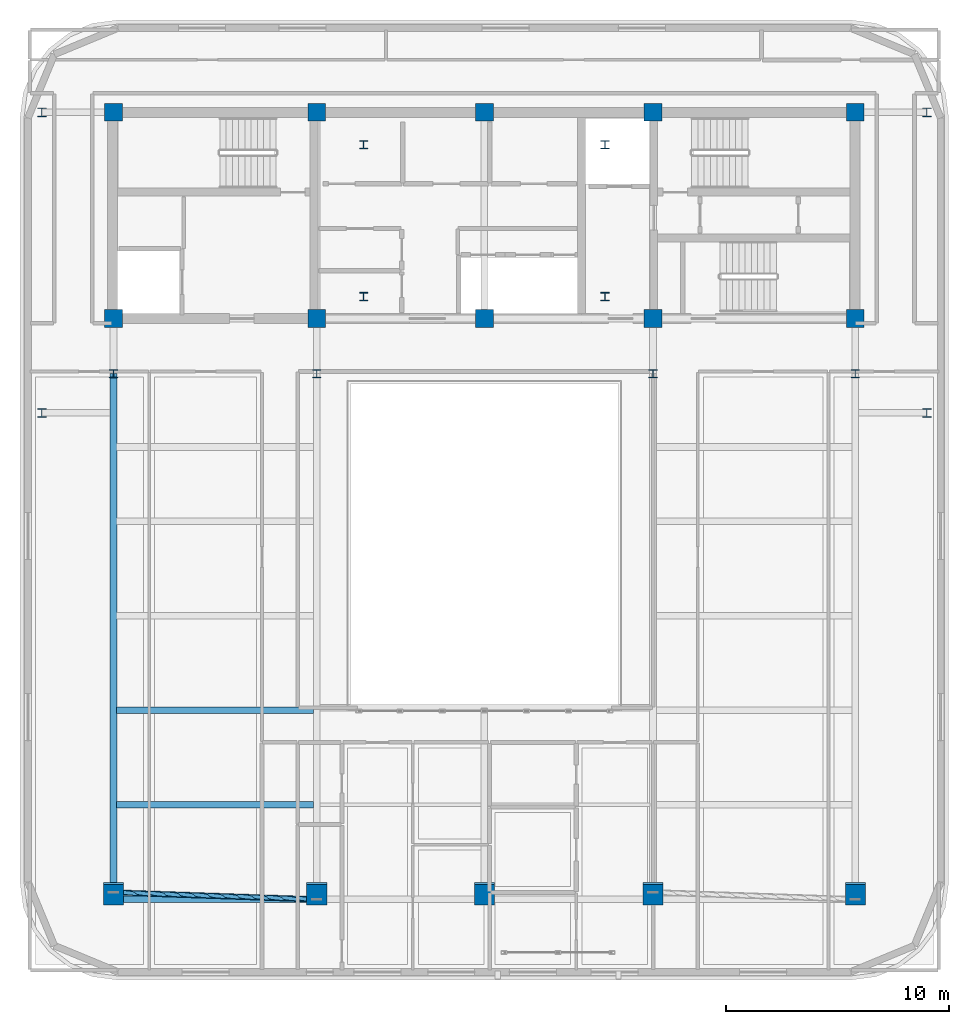
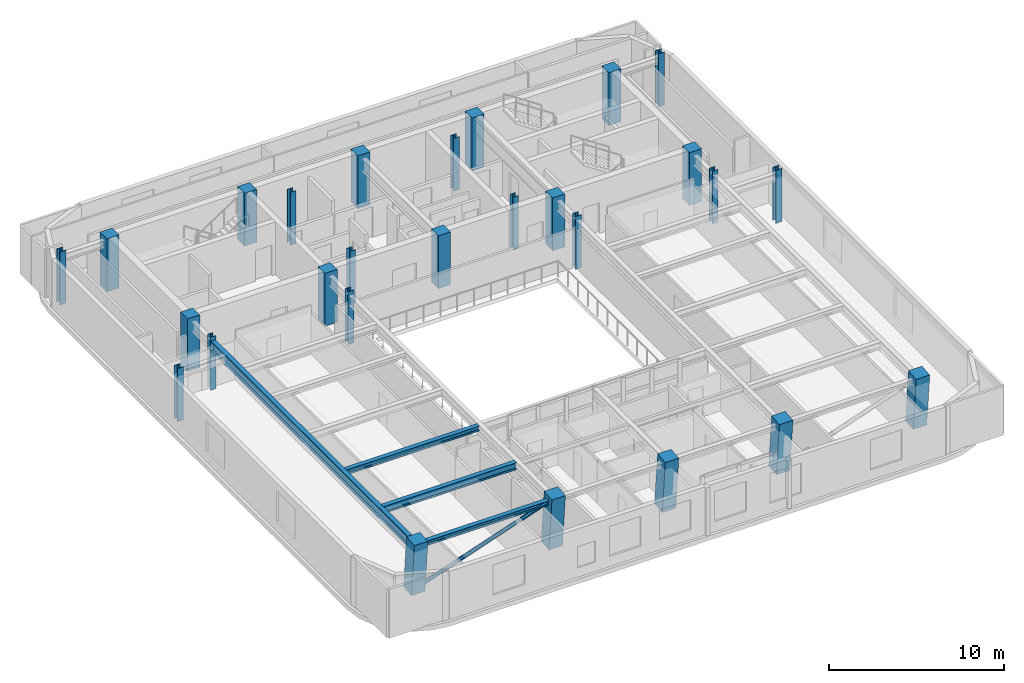
# One storey, part 1 of 12: 27 columns, 4 beams, 1 member.
"""IFC4 building model written with IfcOpenShell, lengths in metres."""

import ifcopenshell
import ifcopenshell.guid

model = None  # the IFC model being written
_history = None  # IfcOwnerHistory: only IFC2X3 demands one
_inside = {}  # id of a spatial element -> (the spatial element, [elements in it])
_under = {}  # id of a project, library or spatial element -> (it, [spatial elements below it])
_declared = {}  # id of a project -> (the project, [libraries it declares])
_typed = {}  # id of a type object -> (the type object, [elements of that type])
_made_of = {}  # id of a material, layer set ... -> (it, [elements and type objects made of it])


def new_model(schema):
    """Start an empty IFC model of exactly this schema.

    Asked for "IFC4X3", IfcOpenShell would pick the latest addendum, in which some entities
    have other attributes; the version numbers below select the first issue.
    IFC2X3 requires an IfcOwnerHistory on every rooted entity: one is made here for all.
    """
    global model, _history
    if schema == "IFC4X3":
        model = ifcopenshell.file(schema_version=(4, 3, 0, 0))
    else:
        model = ifcopenshell.file(schema=schema)
    _inside.clear()
    _under.clear()
    _declared.clear()
    _typed.clear()
    _made_of.clear()
    _history = None
    if model.schema == "IFC2X3":
        org = make("IfcOrganization", Name="unknown")
        user = make(
            "IfcPersonAndOrganization",
            ThePerson=make("IfcPerson", FamilyName="unknown"),
            TheOrganization=org,
        )
        app = make(
            "IfcApplication",
            ApplicationDeveloper=org,
            Version="unknown",
            ApplicationFullName="unknown",
            ApplicationIdentifier="unknown",
        )
        _history = make(
            "IfcOwnerHistory",
            OwningUser=user,
            OwningApplication=app,
            ChangeAction="ADDED",
            CreationDate=0,
        )
    return model


def make(cls, **values):
    """One entity of the class cls with the attributes given. An attribute that is None is left unset."""
    return model.create_entity(
        cls, **{name: value for name, value in values.items() if value is not None}
    )


def rooted(cls, **values):
    """An entity with a GlobalId (a new one), such as an element, a storey or a relation."""
    return make(cls, GlobalId=ifcopenshell.guid.new(), OwnerHistory=_history, **values)


def si_unit(unit_type, name, prefix=None):
    """IfcSIUnit, for example si_unit("LENGTHUNIT", "METRE", prefix="MILLI")."""
    return make("IfcSIUnit", UnitType=unit_type, Prefix=prefix, Name=name)


def assignment(units):
    """IfcUnitAssignment: the units of a project."""
    return None if units is None else make("IfcUnitAssignment", Units=units)


def point(xyz):
    """IfcCartesianPoint."""
    return None if xyz is None else make("IfcCartesianPoint", Coordinates=xyz)


def direction(xyz):
    """IfcDirection."""
    return None if xyz is None else make("IfcDirection", DirectionRatios=xyz)


def frame(location, z_axis=None, x_axis=None):
    """IfcAxis2Placement3D, a coordinate frame: its origin and axes. An axis left out is left unset."""
    return make(
        "IfcAxis2Placement3D",
        Location=point(location),
        Axis=direction(z_axis),
        RefDirection=direction(x_axis),
    )


def frame_2d(location, x_axis=None):
    """IfcAxis2Placement2D, a coordinate frame in the plane: its origin and x axis."""
    return make(
        "IfcAxis2Placement2D", Location=point(location), RefDirection=direction(x_axis)
    )


def origin():
    """The frame at (0, 0, 0) with its axes left unset."""
    return frame((0.0, 0.0, 0.0))


def origin_2d():
    """The frame at (0, 0) in the plane with its x axis left unset."""
    return frame_2d((0.0, 0.0))


def place(relative_to, where):
    """IfcLocalPlacement: puts the frame where relative to a parent placement (None: the world)."""
    return make(
        "IfcLocalPlacement", PlacementRelTo=relative_to, RelativePlacement=where
    )


def context(
    kind, dimensions, precision=None, world=None, true_north=None, identifier=None
):
    """IfcGeometricRepresentationContext, for example the 3D "Model" context."""
    return make(
        "IfcGeometricRepresentationContext",
        ContextIdentifier=identifier,
        ContextType=kind,
        CoordinateSpaceDimension=dimensions,
        Precision=precision,
        WorldCoordinateSystem=world,
        TrueNorth=true_north,
    )


def subcontext(parent, identifier, kind, view, scale=None):
    """IfcGeometricRepresentationSubContext, for example "Body" below "Model"."""
    return make(
        "IfcGeometricRepresentationSubContext",
        ContextIdentifier=identifier,
        ContextType=kind,
        ParentContext=parent,
        TargetScale=scale,
        TargetView=view,
    )


def project(units=None, contexts=None):
    """IfcProject with its units and contexts."""
    return rooted(
        "IfcProject",
        Name="project",
        RepresentationContexts=contexts,
        UnitsInContext=assignment(units),
    )


def spatial(cls, under=None, at=None, **own):
    """A site, building, storey or space (cls), placed at a placement, below another one or the project."""
    s = rooted(cls, ObjectPlacement=at, **own)
    if under is not None:
        _under.setdefault(under.id(), (under, []))[1].append(s)
    return s


def profile(cls, at=None, kind="AREA", **sizes):
    """A parametric profile (cls). Its sizes go by their IFC names, for example OverallWidth=200.0."""
    return make(cls, ProfileType=kind, Position=at, **sizes)


def rectangle(**sizes):
    """IfcRectangleProfileDef."""
    return profile("IfcRectangleProfileDef", **sizes)


def hollow_circle(**sizes):
    """IfcCircleHollowProfileDef."""
    return profile("IfcCircleHollowProfileDef", **sizes)


def i_section(**sizes):
    """IfcIShapeProfileDef."""
    return profile("IfcIShapeProfileDef", **sizes)


def extrude(swept, where, along, depth):
    """IfcExtrudedAreaSolid: the profile swept, set in the frame where, extruded along a direction by depth."""
    return make(
        "IfcExtrudedAreaSolid",
        SweptArea=swept,
        Position=where,
        ExtrudedDirection=direction(along),
        Depth=depth,
    )


def shape(context_of_items, identifier, shape_type, items):
    """IfcShapeRepresentation: the items that make up one representation, for example the "Body"."""
    return make(
        "IfcShapeRepresentation",
        ContextOfItems=context_of_items,
        RepresentationIdentifier=identifier,
        RepresentationType=shape_type,
        Items=items,
    )


def material(Name=None, Category=None):
    """IfcMaterial."""
    return make("IfcMaterial", Name=Name, Category=Category)


def material_profile(
    of_material, cross_section, Name=None, Category=None, Priority=None
):
    """IfcMaterialProfile: a cross section and its material."""
    return make(
        "IfcMaterialProfile",
        Name=Name,
        Material=of_material,
        Profile=cross_section,
        Priority=Priority,
        Category=Category,
    )


def profile_set(profiles, Name=None, composite=None):
    """IfcMaterialProfileSet."""
    return make(
        "IfcMaterialProfileSet",
        Name=Name,
        MaterialProfiles=profiles,
        CompositeProfile=composite,
    )


def made_of(thing, what):
    """Note that an element or type object is made of a material, layer set ...; save() writes the relation."""
    if what is not None:
        _made_of.setdefault(what.id(), (what, []))[1].append(thing)
    return thing


def type_object(cls, material=None, **own):
    """A type object (cls), such as IfcWallType, which elements share."""
    return made_of(rooted(cls, **own), material)


def element(
    cls,
    number,
    at=None,
    inside=None,
    cuts=None,
    type_object=None,
    material=None,
    context=None,
    identifier="Body",
    shape_type=None,
    held_by="IfcProductDefinitionShape",
    body=None,
    shapes=None,
    **own,
):
    """One element of the class cls, such as IfcWall. Its Tag is "e" and its number.

    at: its placement. inside: the storey or other place that contains it. cuts: it is an
    opening in that element (IfcRelVoidsElement). A single representation is given by context,
    identifier, shape_type and body (its items); several are given by shapes. held_by: the class
    of the entity that holds the representations. save() writes the other relations.
    """
    e = rooted(cls, Tag="e%d" % number, ObjectPlacement=at, **own)
    if body is not None:
        shapes = [shape(context, identifier, shape_type, body)]
    if shapes is not None:
        e.Representation = make(held_by, Representations=shapes)
    if inside is not None:
        _inside.setdefault(inside.id(), (inside, []))[1].append(e)
    if cuts is not None:
        rooted(
            "IfcRelVoidsElement", RelatingBuildingElement=cuts, RelatedOpeningElement=e
        )
    if type_object is not None:
        _typed.setdefault(type_object.id(), (type_object, []))[1].append(e)
    return made_of(e, material)


def aggregate(whole, parts):
    """IfcRelAggregates: a whole, such as a stair, and the parts it consists of."""
    return rooted("IfcRelAggregates", RelatingObject=whole, RelatedObjects=parts)


def save(model, path):
    """Write the relations noted so far, then the file.

    IfcRelAggregates (storeys below a building ...), IfcRelContainedInSpatialStructure (elements
    in a storey), IfcRelDefinesByType, IfcRelAssociatesMaterial and IfcRelDeclares: one each for
    every whole, place, type object, material and project.
    """
    for whole, parts in _under.values():
        aggregate(whole, parts)
    for where, things in _inside.values():
        rooted(
            "IfcRelContainedInSpatialStructure",
            RelatedElements=things,
            RelatingStructure=where,
        )
    for kind, things in _typed.values():
        rooted("IfcRelDefinesByType", RelatedObjects=things, RelatingType=kind)
    for what, things in _made_of.values():
        rooted("IfcRelAssociatesMaterial", RelatedObjects=things, RelatingMaterial=what)
    for by, libraries in _declared.values():
        rooted("IfcRelDeclares", RelatingContext=by, RelatedDefinitions=libraries)
    model.write(path)


model = new_model("IFC4")

# Units and contexts
model_context = context("Model", 3, precision=1e-05, world=origin(), true_north=direction((0.0, 1.0)))
body_context = subcontext(model_context, "Body", "Model", "MODEL_VIEW")
ifc_project = project(units=[si_unit("LENGTHUNIT", "METRE"), si_unit("AREAUNIT", "SQUARE_METRE"), si_unit("VOLUMEUNIT", "CUBIC_METRE"), si_unit("PLANEANGLEUNIT", "RADIAN"), si_unit("MASSUNIT", "GRAM", prefix="KILO")], contexts=[model_context])

# Site, building, storey
site_placement = place(None, origin())
site = spatial("IfcSite", under=ifc_project, at=site_placement, CompositionType="ELEMENT")
building_placement = place(site_placement, origin())
building = spatial("IfcBuilding", under=site, at=building_placement, Name="Zarnavel Station Tower", CompositionType="ELEMENT")
storey_placement = place(building_placement, frame((0.0, 0.0, 265.800048828125)))
storey = spatial("IfcBuildingStorey", under=building, at=storey_placement, Name="L72", CompositionType="ELEMENT", Elevation=265.800048828125)

# Columns
ifc_material_1 = material(Name="Steel S355J2", Category="steel")
ifc_material_profile_1 = material_profile(ifc_material_1, i_section(OverallWidth=0.407958984375, OverallDepth=0.39990234375, WebThickness=0.02490234375, FlangeThickness=0.0390625, FilletRadius=0.014892578125, at=origin_2d()), Name="HD400x287")
ifc_profile_set_1 = profile_set([ifc_material_profile_1], Name="Steel S355J2")
column_type_1 = type_object("IfcColumnType", Name="EC_HD287", PredefinedType="COLUMN", material=ifc_profile_set_1)
for number, where, z_axis, x_axis, name in (
    (1, (9.0, 23.60009765625, 0.0), (0.0, 0.0, 1.0), (1.0, 0.0, 0.0), "L72 Inner Wing Spine Column 1-1"),
    (2, (9.0, 37.050048828125, 0.0), (0.0, 0.0, 1.0), (1.0, 0.0, 0.0), "L72 Inner Wing Spine Column 1-2"),
    (3, (48.60009765625, 23.60009765625, 0.0), (0.0, 0.0, 1.0), (1.0, 0.0, 0.0), "L72 Inner Wing Spine Column 2-1"),
    (4, (48.60009765625, 37.050048828125, 0.0), (0.0, 0.0, 1.0), (1.0, 0.0, 0.0), "L72 Inner Wing Spine Column 2-2"),
):
    element("IfcColumn", number, at=place(storey_placement, frame(where, z_axis=z_axis, x_axis=x_axis)), inside=storey, type_object=column_type_1, Name=name, PredefinedType="COLUMN", context=body_context, shape_type="SweptSolid", body=[
        extrude(i_section(OverallWidth=0.407958984375, OverallDepth=0.39990234375, WebThickness=0.02490234375, FlangeThickness=0.0390625, FilletRadius=0.014892578125, at=origin_2d()), origin(), (0.0, 0.0, 1.0), 3.699951171875),
    ])
ifc_material_2 = material(Name="Steel S355J2", Category="steel")
ifc_material_profile_2 = material_profile(ifc_material_2, i_section(OverallWidth=0.3740234375, OverallDepth=0.3720703125, WebThickness=0.0166015625, FlangeThickness=0.027099609375, FilletRadius=0.014892578125, at=origin_2d()), Name="HD360x196")
ifc_profile_set_2 = profile_set([ifc_material_profile_2], Name="Steel S355J2")
column_type_2 = type_object("IfcColumnType", Name="IC_HD196", PredefinedType="COLUMN", material=ifc_profile_set_2)
for number, where, z_axis, x_axis, name in (
    (5, (23.39990234375, 28.800048828125, 0.0), (0.0, 0.0, 1.0), (1.0, 0.0, 0.0), "L72 Mast Spine Column 1"),
    (6, (34.199951171875, 28.800048828125, 0.0), (0.0, 0.0, 1.0), (1.0, 0.0, 0.0), "L72 Mast Spine Column 2"),
    (7, (34.199951171875, 35.60009765625, 0.0), (0.0, 0.0, 1.0), (1.0, 0.0, 0.0), "L72 Mast Spine Column 3"),
    (8, (23.39990234375, 35.60009765625, 0.0), (0.0, 0.0, 1.0), (1.0, 0.0, 0.0), "L72 Mast Spine Column 4"),
    (9, (12.199951171875, 25.35009765625, 0.0), (0.0, 0.0, 1.0), (1.0, 0.0, 0.0), "L72 Inner Spine Column 1"),
    (10, (21.300048828125, 25.35009765625, 0.0), (0.0, 0.0, 1.0), (1.0, 0.0, 0.0), "L72 Inner Spine Column 2"),
    (11, (36.35009765625, 25.35009765625, 0.0), (0.0, 0.0, 1.0), (1.0, 0.0, 0.0), "L72 Inner Spine Column 4"),
    (12, (45.39990234375, 25.35009765625, 0.0), (0.0, 0.0, 1.0), (1.0, 0.0, 0.0), "L72 Inner Spine Column 5"),
):
    element("IfcColumn", number, at=place(storey_placement, frame(where, z_axis=z_axis, x_axis=x_axis)), inside=storey, type_object=column_type_2, Name=name, PredefinedType="COLUMN", context=body_context, shape_type="SweptSolid", body=[
        extrude(i_section(OverallWidth=0.3740234375, OverallDepth=0.3720703125, WebThickness=0.0166015625, FlangeThickness=0.027099609375, FilletRadius=0.014892578125, at=origin_2d()), origin(), (0.0, 0.0, 1.0), 3.699951171875),
    ])
ifc_material_3 = material(Name="Concrete C45/55", Category="concrete")
ifc_material_profile_3 = material_profile(ifc_material_3, rectangle(XDim=0.800048828125, YDim=0.800048828125, at=origin_2d()), Name="RC800x800")
ifc_profile_set_3 = profile_set([ifc_material_profile_3], Name="Concrete C45/55")
column_type_3 = type_object("IfcColumnType", Name="IC_RC800", PredefinedType="COLUMN", material=ifc_profile_set_3)
for number, where, z_axis, x_axis, name in (
    (13, (12.199951171875, 27.820068359375, 0.0), (0.0, 0.0, 1.0), (1.0, 0.0, 0.0), "L72 Core Spine Column 1-1"),
    (14, (12.199951171875, 37.050048828125, 0.0), (0.0, 0.0, 1.0), (1.0, 0.0, 0.0), "L72 Core Spine Column 1-2"),
    (15, (21.300048828125, 27.820068359375, 0.0), (0.0, 0.0, 1.0), (1.0, 0.0, 0.0), "L72 Core Spine Column 2-1"),
    (16, (21.300048828125, 37.050048828125, 0.0), (0.0, 0.0, 1.0), (1.0, 0.0, 0.0), "L72 Core Spine Column 2-2"),
    (17, (28.800048828125, 27.820068359375, 0.0), (0.0, 0.0, 1.0), (1.0, 0.0, 0.0), "L72 Core Spine Column 3-1"),
    (18, (28.800048828125, 37.050048828125, 0.0), (0.0, 0.0, 1.0), (1.0, 0.0, 0.0), "L72 Core Spine Column 3-2"),
    (19, (36.35009765625, 27.820068359375, 0.0), (0.0, 0.0, 1.0), (1.0, 0.0, 0.0), "L72 Core Spine Column 4-1"),
    (20, (36.35009765625, 37.050048828125, 0.0), (0.0, 0.0, 1.0), (1.0, 0.0, 0.0), "L72 Core Spine Column 4-2"),
    (21, (45.39990234375, 27.820068359375, 0.0), (0.0, 0.0, 1.0), (1.0, 0.0, 0.0), "L72 Core Spine Column 5-1"),
    (22, (45.39990234375, 37.050048828125, 0.0), (0.0, 0.0, 1.0), (1.0, 0.0, 0.0), "L72 Core Spine Column 5-2"),
):
    element("IfcColumn", number, at=place(storey_placement, frame(where, z_axis=z_axis, x_axis=x_axis)), inside=storey, type_object=column_type_3, Name=name, PredefinedType="COLUMN", context=body_context, shape_type="SweptSolid", body=[
        extrude(rectangle(XDim=0.800048828125, YDim=0.800048828125, at=origin_2d()), origin(), (0.0, 0.0, 1.0), 3.699951171875),
    ])
ifc_material_4 = material(Name="Concrete C50/60", Category="concrete")
ifc_material_profile_4 = material_profile(ifc_material_4, rectangle(XDim=0.89990234375, YDim=0.89990234375, at=origin_2d()), Name="RC900x900")
ifc_profile_set_4 = profile_set([ifc_material_profile_4], Name="Concrete C50/60")
column_type_4 = type_object("IfcColumnType", Name="MC_RC900", PredefinedType="COLUMN", material=ifc_profile_set_4)
for number, where, z_axis, x_axis, name in (
    (23, (12.199951171875, 2.14111328125, 0.0), (0.0, -0.090227632116, 0.995921168769), (1.0, 0.0, 0.0), "L72 Raked South Mega-Column 1"),
    (24, (21.300048828125, 2.14111328125, 0.0), (0.0, -0.090227632116, 0.995921168769), (1.0, 0.0, 0.0), "L72 Raked South Mega-Column 2"),
    (25, (28.800048828125, 2.14111328125, 0.0), (0.0, -0.090227632116, 0.995921168769), (1.0, 0.0, 0.0), "L72 Raked South Mega-Column 3"),
    (26, (36.35009765625, 2.14111328125, 0.0), (0.0, -0.090227632116, 0.995921168769), (1.0, 0.0, 0.0), "L72 Raked South Mega-Column 4"),
    (27, (45.39990234375, 2.14111328125, 0.0), (0.0, -0.090227632116, 0.995921168769), (1.0, 0.0, 0.0), "L72 Raked South Mega-Column 5"),
):
    element("IfcColumn", number, at=place(storey_placement, frame(where, z_axis=z_axis, x_axis=x_axis)), inside=storey, type_object=column_type_4, Name=name, PredefinedType="COLUMN", context=body_context, shape_type="SweptSolid", body=[
        extrude(rectangle(XDim=0.89990234375, YDim=0.89990234375, at=origin_2d()), origin(), (0.0, 0.0, 1.0), 3.715087890625),
    ])

# Member
ifc_material_5 = material(Name="Steel S355J2", Category="steel")
ifc_material_profile_5 = material_profile(ifc_material_5, hollow_circle(Radius=0.122314453125, WallThickness=0.010009765625, at=origin_2d()), Name="CHS244.5x10")
ifc_profile_set_5 = profile_set([ifc_material_profile_5], Name="Steel S355J2")
member_type = type_object("IfcMemberType", Name="DB_EXT_CHS245", PredefinedType="BRACE", material=ifc_profile_set_5)
member_placement = place(storey_placement, frame((12.199951171875, 2.14111328125, 0.0), z_axis=(0.935604187908, -0.031852811999, 0.351610867205), x_axis=(0.034025465636, 0.999420966204, 0.0)))
element("IfcMember", 28, at=member_placement, inside=storey, type_object=member_type, Name="L72 Persian Exterior Diagonal Frame Brace 1", PredefinedType="BRACE", context=body_context, shape_type="SweptSolid", body=[
    extrude(hollow_circle(Radius=0.122314453125, WallThickness=0.010009765625, at=origin_2d()), origin(), (0.0, 0.0, 1.0), 9.726318359375),
])

# Beams
ifc_material_6 = material(Name="Steel S355J2", Category="steel")
ifc_material_profile_6 = material_profile(ifc_material_6, i_section(OverallWidth=0.300048828125, OverallDepth=0.320068359375, WebThickness=0.011474609375, FlangeThickness=0.0205078125, FilletRadius=0.027099609375, at=origin_2d()), Name="HEB320")
ifc_profile_set_6 = profile_set([ifc_material_profile_6], Name="Steel S355J2")
beam_type_1 = type_object("IfcBeamType", Name="EB_HEB320", PredefinedType="SPANDREL", material=ifc_profile_set_6)
beam_1_placement = place(storey_placement, frame((12.199951171875, 1.831298828125, 3.260009765625), z_axis=(1.0, 0.0, 0.0), x_axis=(0.0, 1.0, 0.0)))
element("IfcBeam", 29, at=beam_1_placement, inside=storey, type_object=beam_type_1, Name="L72 South Raked Spandrel 1", PredefinedType="SPANDREL", context=body_context, shape_type="SweptSolid", body=[
    extrude(i_section(OverallWidth=0.300048828125, OverallDepth=0.320068359375, WebThickness=0.011474609375, FlangeThickness=0.0205078125, FilletRadius=0.027099609375, at=origin_2d()), origin(), (0.0, 0.0, 1.0), 9.10009765625),
])
ifc_material_7 = material(Name="Steel S355J2", Category="steel")
ifc_material_profile_7 = material_profile(ifc_material_7, i_section(OverallWidth=0.300048828125, OverallDepth=0.35009765625, WebThickness=0.010009765625, FlangeThickness=0.017578125, FilletRadius=0.027099609375, at=origin_2d()), Name="HEA360")
ifc_profile_set_7 = profile_set([ifc_material_profile_7], Name="Steel S355J2")
beam_type_2 = type_object("IfcBeamType", Name="FB_HEA360", PredefinedType="BEAM", material=ifc_profile_set_7)
beam_2_placement = place(storey_placement, frame((12.344970703125, 10.28759765625, 3.244873046875), z_axis=(1.0, 0.0, 0.0), x_axis=(0.0, 1.0, 0.0)))
element("IfcBeam", 30, at=beam_2_placement, inside=storey, type_object=beam_type_2, Name="L72 West Bay Beam 2", PredefinedType="BEAM", context=body_context, shape_type="SweptSolid", body=[
    extrude(i_section(OverallWidth=0.300048828125, OverallDepth=0.35009765625, WebThickness=0.010009765625, FlangeThickness=0.017578125, FilletRadius=0.027099609375, at=origin_2d()), origin(), (0.0, 0.0, 1.0), 8.81005859375),
])
ifc_material_8 = material(Name="Steel S355J2", Category="steel")
ifc_material_profile_8 = material_profile(ifc_material_8, i_section(OverallWidth=0.300048828125, OverallDepth=0.489990234375, WebThickness=0.011962890625, FlangeThickness=0.02294921875, FilletRadius=0.027099609375, at=origin_2d()), Name="HEA500")
ifc_profile_set_8 = profile_set([ifc_material_profile_8], Name="Steel S355J2")
beam_type_3 = type_object("IfcBeamType", Name="FB_HEA500", PredefinedType="BEAM", material=ifc_profile_set_8)
beam_3_placement = place(storey_placement, frame((12.344970703125, 6.059326171875, 3.175048828125), z_axis=(1.0, 0.0, 0.0), x_axis=(0.0, 1.0, 0.0)))
element("IfcBeam", 31, at=beam_3_placement, inside=storey, type_object=beam_type_3, Name="L72 West Bay Beam 1", PredefinedType="BEAM", context=body_context, shape_type="SweptSolid", body=[
    extrude(i_section(OverallWidth=0.300048828125, OverallDepth=0.489990234375, WebThickness=0.011962890625, FlangeThickness=0.02294921875, FilletRadius=0.027099609375, at=origin_2d()), origin(), (0.0, 0.0, 1.0), 8.81005859375),
])
ifc_material_9 = material(Name="Steel S355J2", Category="steel")
ifc_material_profile_9 = material_profile(ifc_material_9, i_section(OverallWidth=0.300048828125, OverallDepth=0.699951171875, WebThickness=0.01708984375, FlangeThickness=0.031982421875, FilletRadius=0.027099609375, at=origin_2d()), Name="HEB700")
ifc_profile_set_9 = profile_set([ifc_material_profile_9], Name="Steel S355J2")
beam_type_4 = type_object("IfcBeamType", Name="FG_HEB700", PredefinedType="USERDEFINED", material=ifc_profile_set_9)
beam_4_placement = place(storey_placement, frame((12.199951171875, 1.831298828125, 3.070068359375), z_axis=(0.0, 1.0, 0.0), x_axis=(-1.0, 0.0, 0.0)))
element("IfcBeam", 32, at=beam_4_placement, inside=storey, type_object=beam_type_4, Name="L72 South-Zone NS Girder 1", ObjectType="GIRDER", PredefinedType="USERDEFINED", context=body_context, shape_type="SweptSolid", body=[
    extrude(i_section(OverallWidth=0.300048828125, OverallDepth=0.699951171875, WebThickness=0.01708984375, FlangeThickness=0.031982421875, FilletRadius=0.027099609375, at=origin_2d()), origin(), (0.0, 0.0, 1.0), 23.518798828125),
])

save(model, "model.ifc")
